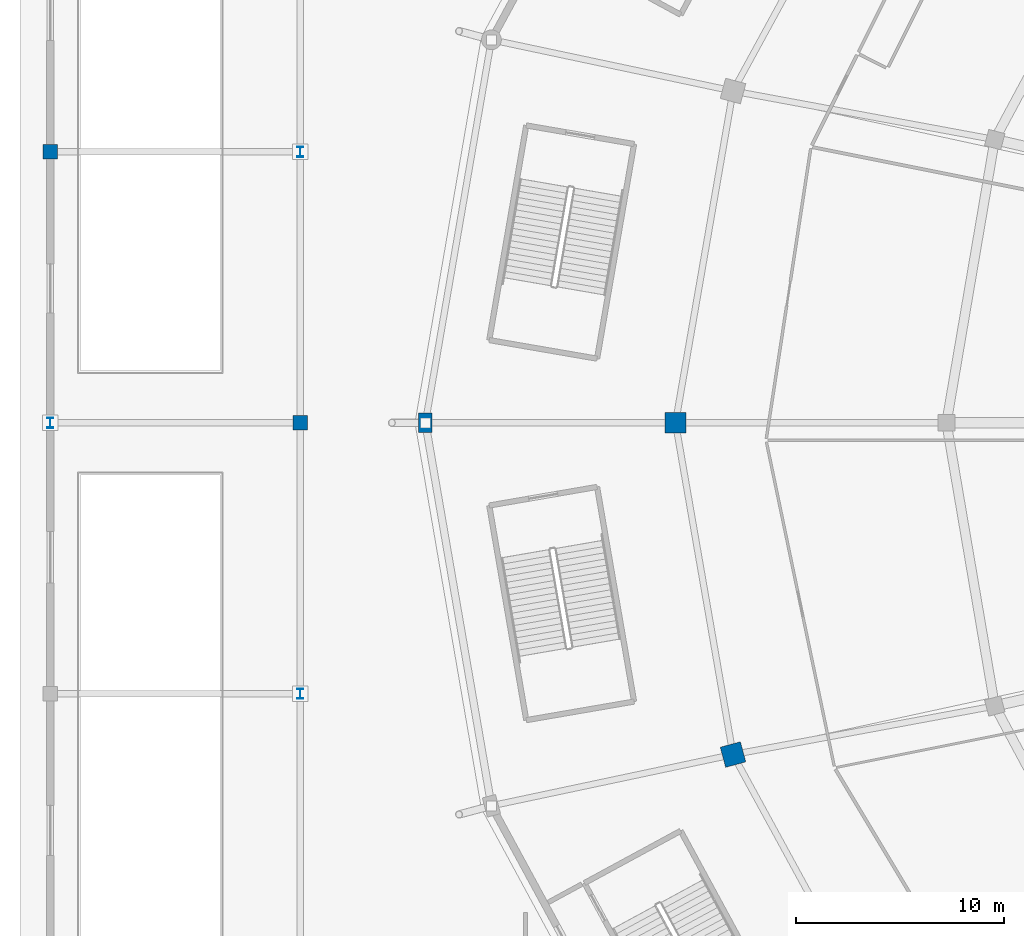
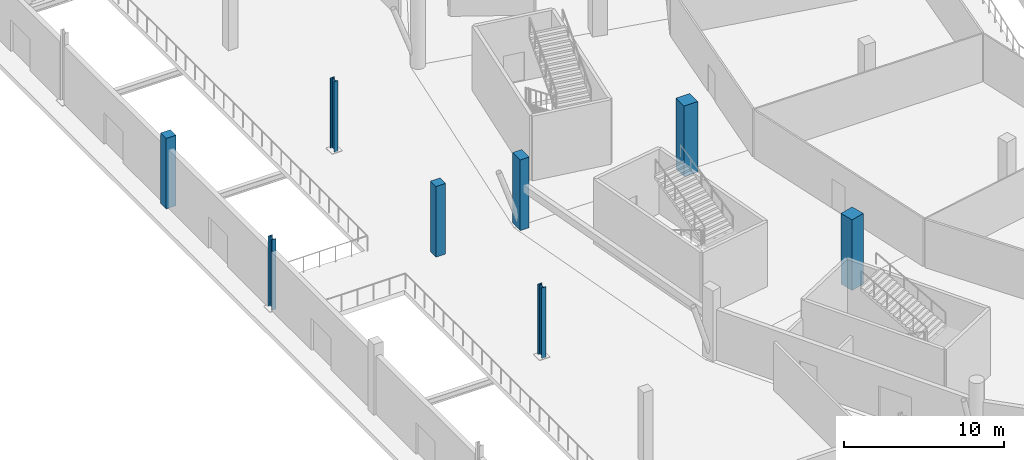
# One storey, part 7 of 82: 8 columns.
"""IFC4 building model written with IfcOpenShell, lengths in metres."""

from ifc_helpers import new_model, si_unit, direction, frame, origin, origin_2d, place, context, subcontext, project, spatial, rectangle, i_section, extrude, material, material_profile, profile_set, type_object, element, save


model = new_model("IFC4")

# Units and contexts
model_context = context("Model", 3, precision=1e-05, world=origin(), true_north=direction((0.0, 1.0)))
body_context = subcontext(model_context, "Body", "Model", "MODEL_VIEW")
ifc_project = project(units=[si_unit("LENGTHUNIT", "METRE"), si_unit("AREAUNIT", "SQUARE_METRE"), si_unit("VOLUMEUNIT", "CUBIC_METRE"), si_unit("PLANEANGLEUNIT", "RADIAN"), si_unit("MASSUNIT", "GRAM", prefix="KILO")], contexts=[model_context])

# Site, building, storey
site_placement = place(None, origin())
site = spatial("IfcSite", under=ifc_project, at=site_placement, CompositionType="ELEMENT")
building_placement = place(site_placement, origin())
building = spatial("IfcBuilding", under=site, at=building_placement, Name="Zlatoyarsky Gate Stadium", CompositionType="ELEMENT")
storey_placement = place(building_placement, origin())
storey = spatial("IfcBuildingStorey", under=building, at=storey_placement, Name="L00", CompositionType="ELEMENT", Elevation=0.0)

# Columns
ifc_material_1 = material(Name="Concrete C40/50", Category="concrete")
ifc_material_profile_1 = material_profile(ifc_material_1, rectangle(XDim=1.0, YDim=1.0, at=origin_2d()), Name="RC COL 1000X1000")
ifc_profile_set_1 = profile_set([ifc_material_profile_1], Name="Concrete C40/50")
column_type_1 = type_object("IfcColumnType", Name="CONCRETE COLUMN 1000X1000", PredefinedType="COLUMN", material=ifc_profile_set_1)
for number, where, z_axis, x_axis, name in (
    (1, (30.0, 80.0, 0.0), (0.0, 0.0, 1.0), (-1.0, 0.0, 0.0), "Column RC-C100 RB-12 on L00"),
    (2, (32.760009765625, 64.08251953125, 0.0), (0.0, 0.0, 1.0), (-0.965925826289, -0.258819045103, 0.0), "Column RC-C100 RB-13 on L00"),
):
    element("IfcColumn", number, at=place(storey_placement, frame(where, z_axis=z_axis, x_axis=x_axis)), inside=storey, type_object=column_type_1, Name=name, PredefinedType="COLUMN", context=body_context, shape_type="SweptSolid", body=[
        extrude(rectangle(XDim=1.0, YDim=1.0, at=origin_2d()), origin(), (0.0, 0.0, 1.0), 5.39990234375),
    ])
ifc_material_profile_2 = material_profile(ifc_material_1, rectangle(XDim=0.699951171875, YDim=0.699951171875, at=origin_2d()), Name="RC COL 700X700")
ifc_profile_set_2 = profile_set([ifc_material_profile_2], Name="Concrete C40/50")
column_type_2 = type_object("IfcColumnType", Name="CONCRETE COLUMN 700X700", PredefinedType="COLUMN", material=ifc_profile_set_2)
for number, where, z_axis, x_axis, name in (
    (3, (0.0, 93.0, 0.0), (0.0, 0.0, 1.0), (1.0, 0.0, 0.0), "Column RC-C70 WG-1-J on L00"),
    (4, (12.0, 80.0, 0.0), (0.0, 0.0, 1.0), (1.0, 0.0, 0.0), "Column RC-C70 WG-2-H on L00"),
):
    element("IfcColumn", number, at=place(storey_placement, frame(where, z_axis=z_axis, x_axis=x_axis)), inside=storey, type_object=column_type_2, Name=name, PredefinedType="COLUMN", context=body_context, shape_type="SweptSolid", body=[
        extrude(rectangle(XDim=0.699951171875, YDim=0.699951171875, at=origin_2d()), origin(), (0.0, 0.0, 1.0), 5.39990234375),
    ])
ifc_material_profile_3 = material_profile(ifc_material_1, rectangle(XDim=0.64990234375, YDim=0.949951171875, at=origin_2d()), Name="RC PILASTER 650X950")
ifc_profile_set_3 = profile_set([ifc_material_profile_3], Name="Concrete C40/50")
column_type_3 = type_object("IfcColumnType", Name="CONCRETE PORTAL PILASTER 650X950", PredefinedType="PILASTER", material=ifc_profile_set_3)
column_placement = place(storey_placement, frame((18.0, 80.0, 0.0), z_axis=(0.0, 0.0, 1.0), x_axis=(-1.0, 0.0, 0.0)))
element("IfcColumn", 5, at=column_placement, inside=storey, type_object=column_type_3, Name="Column RC-PL95 RC-12 on L00", PredefinedType="PILASTER", context=body_context, shape_type="SweptSolid", body=[
    extrude(rectangle(XDim=0.64990234375, YDim=0.949951171875, at=origin_2d()), origin(), (0.0, 0.0, 1.0), 5.39990234375),
])
ifc_material_2 = material(Name="Steel S355", Category="steel")
ifc_material_profile_4 = material_profile(ifc_material_2, i_section(OverallWidth=0.300048828125, OverallDepth=0.5, WebThickness=0.014404296875, FlangeThickness=0.028076171875, FilletRadius=0.027099609375, at=origin_2d()), Name="HEB 500")
ifc_profile_set_4 = profile_set([ifc_material_profile_4], Name="Steel S355")
column_type_4 = type_object("IfcColumnType", Name="STEEL COLUMN HEB 500", PredefinedType="COLUMN", material=ifc_profile_set_4)
for number, where, z_axis, x_axis, name in (
    (6, (0.0, 80.0, 0.0), (0.0, 0.0, 1.0), (1.0, 0.0, 0.0), "Column ST-C500 WG-1-H on L00"),
    (7, (12.0, 67.0, 0.0), (0.0, 0.0, 1.0), (1.0, 0.0, 0.0), "Column ST-C500 WG-2-G on L00"),
    (8, (12.0, 93.0, 0.0), (0.0, 0.0, 1.0), (1.0, 0.0, 0.0), "Column ST-C500 WG-2-J on L00"),
):
    element("IfcColumn", number, at=place(storey_placement, frame(where, z_axis=z_axis, x_axis=x_axis)), inside=storey, type_object=column_type_4, Name=name, PredefinedType="COLUMN", context=body_context, shape_type="SweptSolid", body=[
        extrude(i_section(OverallWidth=0.300048828125, OverallDepth=0.5, WebThickness=0.014404296875, FlangeThickness=0.028076171875, FilletRadius=0.027099609375, at=origin_2d()), origin(), (0.0, 0.0, 1.0), 5.39990234375),
    ])

save(model, "model.ifc")
